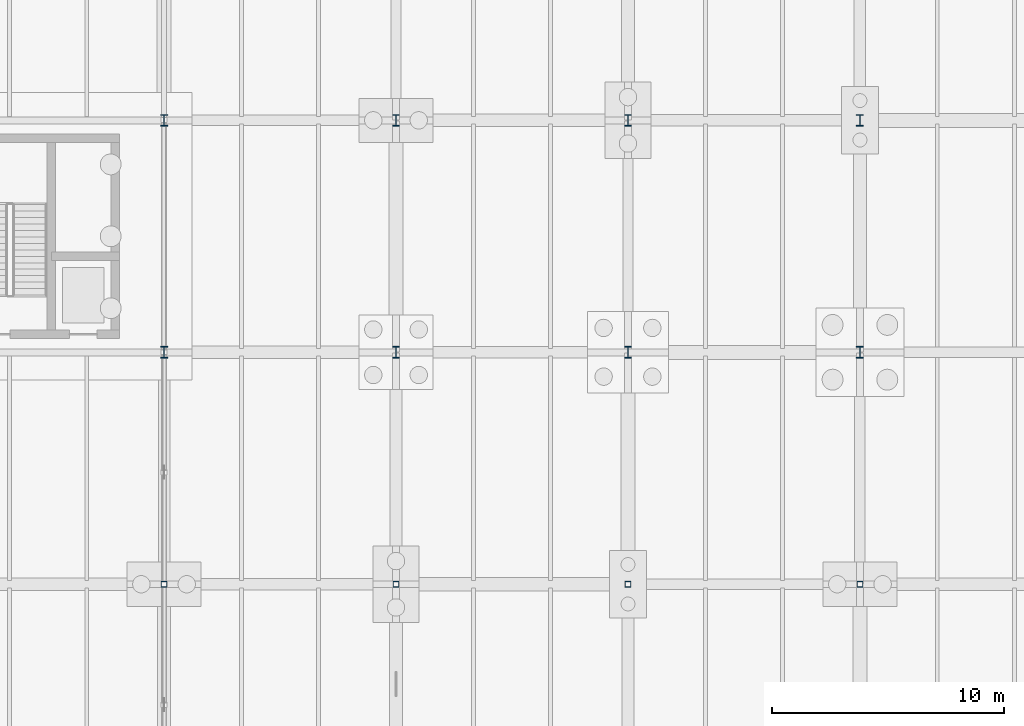
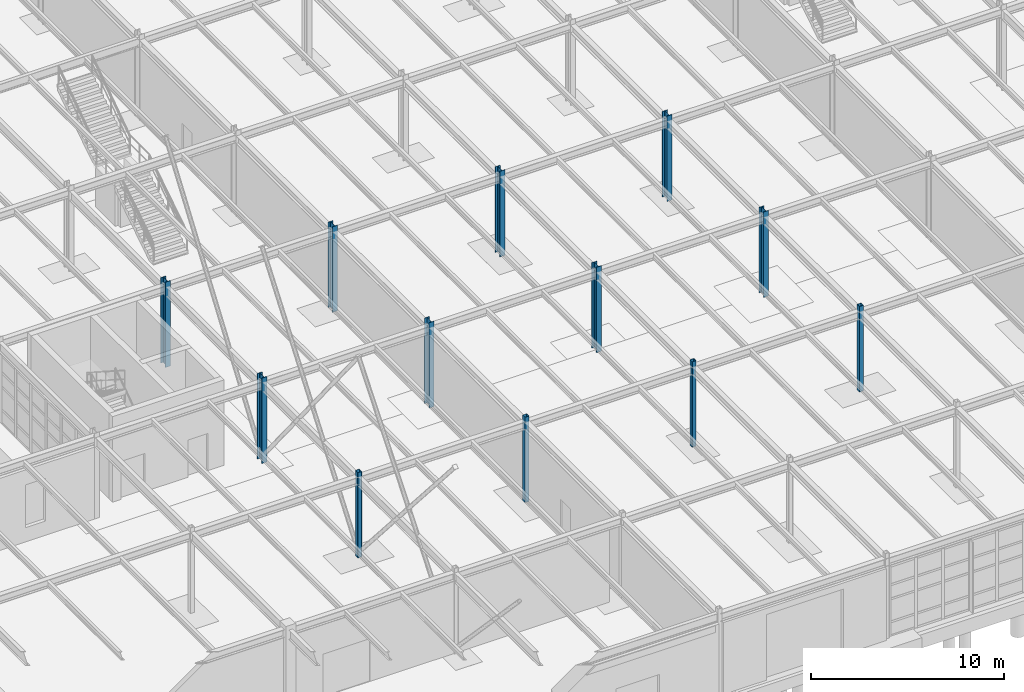
# One storey, part 17 of 145: 12 columns.
"""IFC4 building model written with IfcOpenShell, lengths in metres."""

from ifc_helpers import new_model, si_unit, direction, frame, origin, origin_2d, place, context, subcontext, project, spatial, hollow_rectangle, i_section, extrude, material, material_profile, profile_set, type_object, element, save


model = new_model("IFC4")

# Units and contexts
model_context = context("Model", 3, precision=1e-05, world=origin(), true_north=direction((0.0, 1.0)))
body_context = subcontext(model_context, "Body", "Model", "MODEL_VIEW")
ifc_project = project(units=[si_unit("LENGTHUNIT", "METRE"), si_unit("AREAUNIT", "SQUARE_METRE"), si_unit("VOLUMEUNIT", "CUBIC_METRE"), si_unit("PLANEANGLEUNIT", "RADIAN"), si_unit("MASSUNIT", "GRAM", prefix="KILO"), si_unit("THERMODYNAMICTEMPERATUREUNIT", "KELVIN"), si_unit("POWERUNIT", "WATT")], contexts=[model_context])

# Site, building, storey
site_placement = place(None, origin())
site = spatial("IfcSite", under=ifc_project, at=site_placement, CompositionType="ELEMENT")
building_placement = place(site_placement, origin())
building = spatial("IfcBuilding", under=site, at=building_placement, Name="Korenveer Ferry Terminal", CompositionType="ELEMENT")
storey_placement = place(building_placement, origin())
storey = spatial("IfcBuildingStorey", under=building, at=storey_placement, Name="L00", CompositionType="ELEMENT", Elevation=0.0)

# Columns
ifc_material = material(Name="Steel S355", Category="steel")
ifc_material_profile_1 = material_profile(ifc_material, i_section(OverallWidth=0.300048828125, OverallDepth=0.5, WebThickness=0.014404296875, FlangeThickness=0.028076171875, FilletRadius=0.027099609375, at=origin_2d()), Name="HEB 500")
ifc_profile_set_1 = profile_set([ifc_material_profile_1], Name="Steel S355")
column_type_1 = type_object("IfcColumnType", Name="STR-COL-HEB500", PredefinedType="COLUMN", material=ifc_profile_set_1)
for number, where, z_axis, x_axis, name in (
    (1, (63.0, 50.0, 0.0), (0.0, 0.0, 1.0), (1.0, 0.0, 0.0), "Column COL-L00-X63-Y50"),
    (2, (63.0, 60.0, 0.0), (0.0, 0.0, 1.0), (1.0, 0.0, 0.0), "Column COL-L00-X63-Y60"),
    (3, (73.0, 50.0, 0.0), (0.0, 0.0, 1.0), (1.0, 0.0, 0.0), "Column COL-L00-X73-Y50"),
    (4, (73.0, 60.0, 0.0), (0.0, 0.0, 1.0), (1.0, 0.0, 0.0), "Column COL-L00-X73-Y60"),
    (5, (83.0, 50.0, 0.0), (0.0, 0.0, 1.0), (1.0, 0.0, 0.0), "Column COL-L00-X83-Y50"),
    (6, (83.0, 60.0, 0.0), (0.0, 0.0, 1.0), (1.0, 0.0, 0.0), "Column COL-L00-X83-Y60"),
    (7, (93.0, 50.0, 0.0), (0.0, 0.0, 1.0), (1.0, 0.0, 0.0), "Column COL-L00-X93-Y50"),
    (8, (93.0, 60.0, 0.0), (0.0, 0.0, 1.0), (1.0, 0.0, 0.0), "Column COL-L00-X93-Y60"),
):
    element("IfcColumn", number, at=place(storey_placement, frame(where, z_axis=z_axis, x_axis=x_axis)), inside=storey, type_object=column_type_1, Name=name, PredefinedType="COLUMN", context=body_context, shape_type="SweptSolid", body=[
        extrude(i_section(OverallWidth=0.300048828125, OverallDepth=0.5, WebThickness=0.014404296875, FlangeThickness=0.028076171875, FilletRadius=0.027099609375, at=origin_2d()), origin(), (0.0, 0.0, 1.0), 5.39990234375),
    ])
ifc_material_profile_2 = material_profile(ifc_material, hollow_rectangle(XDim=0.25, YDim=0.25, WallThickness=0.012451171875, InnerFilletRadius=0.012451171875, OuterFilletRadius=0.018798828125, at=origin_2d()), Name="SHS 250x250x12.5")
ifc_profile_set_2 = profile_set([ifc_material_profile_2], Name="Steel S355")
column_type_2 = type_object("IfcColumnType", Name="STR-COL-SHS250", PredefinedType="COLUMN", material=ifc_profile_set_2)
for number, where, z_axis, x_axis, name in (
    (9, (63.0, 40.0, 0.0), (0.0, 0.0, 1.0), (1.0, 0.0, 0.0), "Column COL-L00-X63-Y40"),
    (10, (73.0, 40.0, 0.0), (0.0, 0.0, 1.0), (1.0, 0.0, 0.0), "Column COL-L00-X73-Y40"),
    (11, (83.0, 40.0, 0.0), (0.0, 0.0, 1.0), (1.0, 0.0, 0.0), "Column COL-L00-X83-Y40"),
    (12, (93.0, 40.0, 0.0), (0.0, 0.0, 1.0), (1.0, 0.0, 0.0), "Column COL-L00-X93-Y40"),
):
    element("IfcColumn", number, at=place(storey_placement, frame(where, z_axis=z_axis, x_axis=x_axis)), inside=storey, type_object=column_type_2, Name=name, PredefinedType="COLUMN", context=body_context, shape_type="SweptSolid", body=[
        extrude(hollow_rectangle(XDim=0.25, YDim=0.25, WallThickness=0.012451171875, InnerFilletRadius=0.012451171875, OuterFilletRadius=0.018798828125, at=origin_2d()), origin(), (0.0, 0.0, 1.0), 5.39990234375),
    ])

save(model, "model.ifc")
